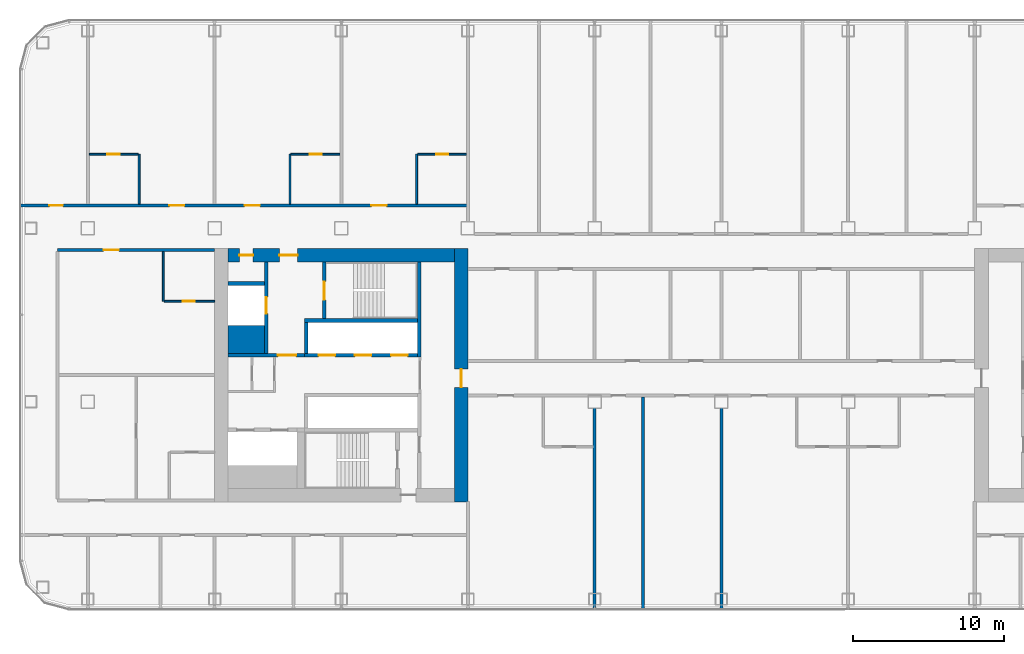
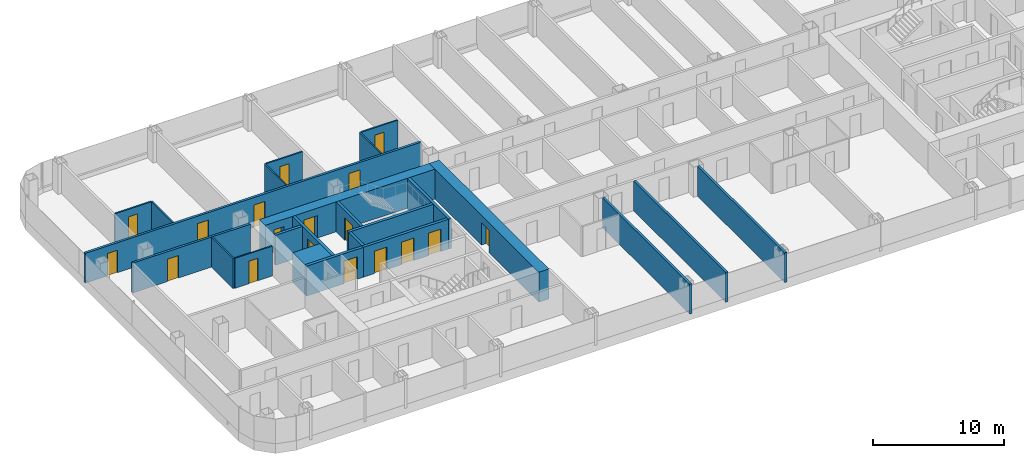
# One storey, part 16 of 29: 24 walls, 18 doors, 18 openings.
"""IFC4 building model written with IfcOpenShell, lengths in metres."""

from ifc_helpers import new_model, si_unit, direction, frame, frame_2d, origin, place, context, subcontext, project, spatial, rectangle, extrude, material, layer, layer_set, type_object, element, fill, save


model = new_model("IFC4")

# Units and contexts
model_context = context("Model", 3, precision=1e-05, world=origin(), true_north=direction((0.0, 1.0)))
body_context = subcontext(model_context, "Body", "Model", "MODEL_VIEW")
ifc_project = project(units=[si_unit("LENGTHUNIT", "METRE"), si_unit("AREAUNIT", "SQUARE_METRE"), si_unit("VOLUMEUNIT", "CUBIC_METRE"), si_unit("PLANEANGLEUNIT", "RADIAN"), si_unit("MASSUNIT", "GRAM", prefix="KILO")], contexts=[model_context])

# Site, building, storey
site_placement = place(None, origin())
site = spatial("IfcSite", under=ifc_project, at=site_placement, CompositionType="ELEMENT")
building_placement = place(site_placement, origin())
building = spatial("IfcBuilding", under=site, at=building_placement, Name="Hakoniwa Tower and Hamabe Station Hall", CompositionType="ELEMENT")
storey_placement = place(building_placement, frame((0.0, 0.0, 91.39990234375)))
storey = spatial("IfcBuildingStorey", under=building, at=storey_placement, Name="L25", CompositionType="ELEMENT", Elevation=91.39990234375)

# Wall, opening, door
ifc_material_1 = material(Name="Gypsum board partition", Category="gypsum")
ifc_layer_1 = layer(ifc_material_1, 0.125)
ifc_layer_set_1 = layer_set([ifc_layer_1], Name="Bathroom Partition 125")
wall_type_1 = type_object("IfcWallType", Name="Bathroom Partition 125", PredefinedType="PARTITIONING", material=ifc_layer_set_1)
wall_1_placement = place(storey_placement, frame((-36.9375, 4.89990234375, 0.0), z_axis=(0.0, 0.0, 1.0), x_axis=(1.0, 0.0, 0.0)))
wall_1 = element("IfcWall", 1, at=wall_1_placement, inside=storey, type_object=wall_type_1, Name="GW-L25-012", PredefinedType="PARTITIONING", context=body_context, shape_type="SweptSolid", body=[
    extrude(rectangle(XDim=3.33740234375, YDim=0.125, at=frame_2d((1.668701171875, 0.0))), origin(), (0.0, 0.0, 1.0), 2.800048828125),
])
opening_1_placement = place(wall_1_placement, frame((1.237548828125, 0.0, 0.0)))
opening_1 = element("IfcOpeningElement", 2, at=opening_1_placement, cuts=wall_1, Name="Opening GD-G2A1-29", PredefinedType="OPENING", context=body_context, shape_type="SweptSolid", body=[
    extrude(rectangle(XDim=0.800048828125, YDim=2.10009765625, at=frame_2d((0.39990234375, 1.050048828125))), frame((0.0, 0.072509765625, 0.0), z_axis=(0.0, -1.0, 0.0), x_axis=(1.0, 0.0, 0.0)), (0.0, 0.0, 1.0), 0.14501953125),
])
ifc_material_2 = material(Name="Timber door leaf", Category="wood")
door_type_1 = type_object("IfcDoorType", Name="Bathroom Door 800", OperationType="SINGLE_SWING_LEFT", PredefinedType="DOOR", material=ifc_material_2)
door_1_placement = place(opening_1_placement, origin())
door_1 = element("IfcDoor", 3, at=door_1_placement, inside=storey, type_object=door_type_1, Name="Door GD-G2A1-29", OperationType="SINGLE_SWING_RIGHT", OverallHeight=2.10009765625, OverallWidth=0.800048828125, PredefinedType="DOOR", context=body_context, shape_type="SweptSolid", body=[
    extrude(rectangle(XDim=0.800048828125, YDim=2.10009765625, at=frame_2d((0.39990234375, 1.050048828125))), frame((0.0, 0.02490234375, 0.0), z_axis=(0.0, -1.0, 0.0), x_axis=(1.0, 0.0, 0.0)), (0.0, 0.0, 1.0), 0.050048828125),
])
fill(opening_1, door_1)

wall_2_placement = place(storey_placement, frame((-41.89990234375, 14.64990234375, 0.0), z_axis=(0.0, 0.0, 1.0), x_axis=(1.0, 0.0, 0.0)))
wall_2 = element("IfcWall", 4, at=wall_2_placement, inside=storey, type_object=wall_type_1, Name="GW-L25-020", PredefinedType="PARTITIONING", context=body_context, shape_type="SweptSolid", body=[
    extrude(rectangle(XDim=3.2373046875, YDim=0.125, at=frame_2d((1.61865234375, 0.0))), origin(), (0.0, 0.0, 1.0), 2.800048828125),
])
opening_2_placement = place(wall_2_placement, frame((1.199951171875, 0.0, 0.0)))
opening_2 = element("IfcOpeningElement", 5, at=opening_2_placement, cuts=wall_2, Name="Opening GD-G2A1-53", PredefinedType="OPENING", context=body_context, shape_type="SweptSolid", body=[
    extrude(rectangle(XDim=0.800048828125, YDim=2.10009765625, at=frame_2d((0.39990234375, 1.050048828125))), frame((0.0, 0.072509765625, 0.0), z_axis=(0.0, -1.0, 0.0), x_axis=(1.0, 0.0, 0.0)), (0.0, 0.0, 1.0), 0.14501953125),
])
door_2_placement = place(opening_2_placement, origin())
door_2 = element("IfcDoor", 6, at=door_2_placement, inside=storey, type_object=door_type_1, Name="Door GD-G2A1-53", OperationType="SINGLE_SWING_LEFT", OverallHeight=2.10009765625, OverallWidth=0.800048828125, PredefinedType="DOOR", context=body_context, shape_type="SweptSolid", body=[
    extrude(rectangle(XDim=0.800048828125, YDim=2.10009765625, at=frame_2d((0.39990234375, 1.050048828125))), frame((0.0, 0.02490234375, 0.0), z_axis=(0.0, -1.0, 0.0), x_axis=(1.0, 0.0, 0.0)), (0.0, 0.0, 1.0), 0.050048828125),
])
fill(opening_2, door_2)

wall_3_placement = place(storey_placement, frame((-28.53759765625, 14.64990234375, 0.0), z_axis=(0.0, 0.0, 1.0), x_axis=(1.0, 0.0, 0.0)))
wall_3 = element("IfcWall", 7, at=wall_3_placement, inside=storey, type_object=wall_type_1, Name="GW-L25-021", PredefinedType="PARTITIONING", context=body_context, shape_type="SweptSolid", body=[
    extrude(rectangle(XDim=3.237548828125, YDim=0.125, at=frame_2d((1.61865234375, 0.0))), origin(), (0.0, 0.0, 1.0), 2.800048828125),
])
opening_3_placement = place(wall_3_placement, frame((1.237548828125, 0.0, 0.0)))
opening_3 = element("IfcOpeningElement", 8, at=opening_3_placement, cuts=wall_3, Name="Opening GD-G2A1-54", PredefinedType="OPENING", context=body_context, shape_type="SweptSolid", body=[
    extrude(rectangle(XDim=0.800048828125, YDim=2.10009765625, at=frame_2d((0.39990234375, 1.050048828125))), frame((0.0, 0.072509765625, 0.0), z_axis=(0.0, -1.0, 0.0), x_axis=(1.0, 0.0, 0.0)), (0.0, 0.0, 1.0), 0.14501953125),
])
door_3_placement = place(opening_3_placement, origin())
door_3 = element("IfcDoor", 9, at=door_3_placement, inside=storey, type_object=door_type_1, Name="Door GD-G2A1-54", OperationType="SINGLE_SWING_RIGHT", OverallHeight=2.10009765625, OverallWidth=0.800048828125, PredefinedType="DOOR", context=body_context, shape_type="SweptSolid", body=[
    extrude(rectangle(XDim=0.800048828125, YDim=2.10009765625, at=frame_2d((0.39990234375, 1.050048828125))), frame((0.0, 0.02490234375, 0.0), z_axis=(0.0, -1.0, 0.0), x_axis=(1.0, 0.0, 0.0)), (0.0, 0.0, 1.0), 0.050048828125),
])
fill(opening_3, door_3)

wall_4_placement = place(storey_placement, frame((-20.137451171875, 14.64990234375, 0.0), z_axis=(0.0, 0.0, 1.0), x_axis=(1.0, 0.0, 0.0)))
wall_4 = element("IfcWall", 10, at=wall_4_placement, inside=storey, type_object=wall_type_1, Name="GW-L25-022", PredefinedType="PARTITIONING", context=body_context, shape_type="SweptSolid", body=[
    extrude(rectangle(XDim=3.237548828125, YDim=0.125, at=frame_2d((1.61865234375, 0.0))), origin(), (0.0, 0.0, 1.0), 2.800048828125),
])
opening_4_placement = place(wall_4_placement, frame((1.237548828125, 0.0, 0.0)))
opening_4 = element("IfcOpeningElement", 11, at=opening_4_placement, cuts=wall_4, Name="Opening GD-G2A1-55", PredefinedType="OPENING", context=body_context, shape_type="SweptSolid", body=[
    extrude(rectangle(XDim=0.800048828125, YDim=2.10009765625, at=frame_2d((0.39990234375, 1.050048828125))), frame((0.0, 0.072509765625, 0.0), z_axis=(0.0, -1.0, 0.0), x_axis=(1.0, 0.0, 0.0)), (0.0, 0.0, 1.0), 0.14501953125),
])
door_4_placement = place(opening_4_placement, origin())
door_4 = element("IfcDoor", 12, at=door_4_placement, inside=storey, type_object=door_type_1, Name="Door GD-G2A1-55", OperationType="SINGLE_SWING_LEFT", OverallHeight=2.10009765625, OverallWidth=0.800048828125, PredefinedType="DOOR", context=body_context, shape_type="SweptSolid", body=[
    extrude(rectangle(XDim=0.800048828125, YDim=2.10009765625, at=frame_2d((0.39990234375, 1.050048828125))), frame((0.0, 0.02490234375, 0.0), z_axis=(0.0, -1.0, 0.0), x_axis=(1.0, 0.0, 0.0)), (0.0, 0.0, 1.0), 0.050048828125),
])
fill(opening_4, door_4)

# Walls
wall_5_placement = place(storey_placement, frame((-38.60009765625, 11.35009765625, 0.0), z_axis=(0.0, 0.0, 1.0), x_axis=(0.0, 1.0, 0.0)))
element("IfcWall", 13, at=wall_5_placement, inside=storey, type_object=wall_type_1, Name="GW-L25-030", PredefinedType="PARTITIONING", context=body_context, shape_type="SweptSolid", body=[
    extrude(rectangle(XDim=3.2998046875, YDim=0.125, at=frame_2d((1.64990234375, 0.0))), origin(), (0.0, 0.0, 1.0), 2.800048828125),
])
wall_6_placement = place(storey_placement, frame((-37.0, 4.89990234375, 0.0), z_axis=(0.0, 0.0, 1.0), x_axis=(0.0, 1.0, 0.0)))
element("IfcWall", 14, at=wall_6_placement, inside=storey, type_object=wall_type_1, Name="GW-L25-032", PredefinedType="PARTITIONING", context=body_context, shape_type="SweptSolid", body=[
    extrude(rectangle(XDim=3.300048828125, YDim=0.125, at=frame_2d((1.64990234375, 0.0))), origin(), (0.0, 0.0, 1.0), 2.800048828125),
])
for number, where, z_axis, x_axis, name in (
    (15, (-28.60009765625, 11.35009765625, 0.0), (0.0, 0.0, 1.0), (0.0, 1.0, 0.0), "GW-L25-036"),
    (16, (-20.199951171875, 11.35009765625, 0.0), (0.0, 0.0, 1.0), (0.0, 1.0, 0.0), "GW-L25-040"),
):
    element("IfcWall", number, at=place(storey_placement, frame(where, z_axis=z_axis, x_axis=x_axis)), inside=storey, type_object=wall_type_1, Name=name, PredefinedType="PARTITIONING", context=body_context, shape_type="SweptSolid", body=[
        extrude(rectangle(XDim=3.2998046875, YDim=0.125, at=frame_2d((1.64990234375, 0.0))), origin(), (0.0, 0.0, 1.0), 2.800048828125),
    ])

# Wall, opening, door
ifc_material_3 = material(Name="Concrete C72", Category="concrete")
ifc_layer_2 = layer(ifc_material_3, 0.89990234375)
ifc_layer_set_2 = layer_set([ifc_layer_2], Name="CORE WALL 900 C72")
wall_type_2 = type_object("IfcWallType", Name="CORE WALL 900 C72", PredefinedType="SHEAR", material=ifc_layer_set_2)
wall_7_placement = place(storey_placement, frame((-17.25, -8.39990234375, 0.0), z_axis=(0.0, 0.0, 1.0), x_axis=(0.0, 1.0, 0.0)))
wall_7 = element("IfcWall", 17, at=wall_7_placement, inside=storey, type_object=wall_type_2, Name="Core wall INNER west", PredefinedType="SHEAR", context=body_context, shape_type="SweptSolid", body=[
    extrude(rectangle(XDim=16.7998046875, YDim=0.89990234375, at=frame_2d((8.39990234375, 0.0))), origin(), (0.0, 0.0, 1.0), 2.800048828125),
])
opening_5_placement = place(wall_7_placement, frame((7.60009765625, 0.0, 0.0)))
opening_5 = element("IfcOpeningElement", 18, at=opening_5_placement, cuts=wall_7, Name="Opening CD-W-IN1-12", PredefinedType="OPENING", context=body_context, shape_type="SweptSolid", body=[
    extrude(rectangle(XDim=1.199951171875, YDim=2.10009765625, at=frame_2d((0.60009765625, 1.050048828125))), frame((0.0, 0.4599609375, 0.0), z_axis=(0.0, -1.0, 0.0), x_axis=(1.0, 0.0, 0.0)), (0.0, 0.0, 1.0), 0.919921875),
])
ifc_material_4 = material(Name="Steel fire door", Category="steel")
door_type_2 = type_object("IfcDoorType", Name="CORE DOOR 1200 FD60", OperationType="DOUBLE_DOOR_SINGLE_SWING", PredefinedType="DOOR", material=ifc_material_4)
door_5_placement = place(opening_5_placement, origin())
door_5 = element("IfcDoor", 19, at=door_5_placement, inside=storey, type_object=door_type_2, Name="Lift lobby door", OperationType="DOUBLE_DOOR_SINGLE_SWING", OverallHeight=2.10009765625, OverallWidth=1.199951171875, PredefinedType="DOOR", context=body_context, shape_type="SweptSolid", body=[
    extrude(rectangle(XDim=1.199951171875, YDim=2.10009765625, at=frame_2d((0.60009765625, 1.050048828125))), frame((0.0, 0.02490234375, 0.0), z_axis=(0.0, -1.0, 0.0), x_axis=(1.0, 0.0, 0.0)), (0.0, 0.0, 1.0), 0.050048828125),
])
fill(opening_5, door_5)

# Wall, openings, doors
wall_8_placement = place(storey_placement, frame((-32.699951171875, 7.949951171875, 0.0), z_axis=(0.0, 0.0, 1.0), x_axis=(1.0, 0.0, 0.0)))
wall_8 = element("IfcWall", 20, at=wall_8_placement, inside=storey, type_object=wall_type_2, Name="Core wall NORTH west", PredefinedType="SHEAR", context=body_context, shape_type="SweptSolid", body=[
    extrude(rectangle(XDim=15.0, YDim=0.89990234375, at=frame_2d((7.5, 0.0))), origin(), (0.0, 0.0, 1.0), 2.800048828125),
])
opening_6_placement = place(wall_8_placement, frame((3.39990234375, 0.0, 0.0)))
opening_6 = element("IfcOpeningElement", 21, at=opening_6_placement, cuts=wall_8, Name="Opening CD-W-FN1-12", PredefinedType="OPENING", context=body_context, shape_type="SweptSolid", body=[
    extrude(rectangle(XDim=1.199951171875, YDim=2.10009765625, at=frame_2d((0.60009765625, 1.050048828125))), frame((0.0, 0.4599609375, 0.0), z_axis=(0.0, -1.0, 0.0), x_axis=(1.0, 0.0, 0.0)), (0.0, 0.0, 1.0), 0.919921875),
])
opening_7_placement = place(wall_8_placement, frame((0.75, 0.0, 0.0)))
opening_7 = element("IfcOpeningElement", 22, at=opening_7_placement, cuts=wall_8, Name="Opening CD-W-FN2-9", PredefinedType="OPENING", context=body_context, shape_type="SweptSolid", body=[
    extrude(rectangle(XDim=0.89990234375, YDim=2.10009765625, at=frame_2d((0.449951171875, 1.050048828125))), frame((0.0, 0.4599609375, 0.0), z_axis=(0.0, -1.0, 0.0), x_axis=(1.0, 0.0, 0.0)), (0.0, 0.0, 1.0), 0.919921875),
])
door_6_placement = place(opening_6_placement, origin())
door_6 = element("IfcDoor", 23, at=door_6_placement, inside=storey, type_object=door_type_2, Name="Stair vestibule door to the fire-fighting lobby", OperationType="DOUBLE_DOOR_SINGLE_SWING", OverallHeight=2.10009765625, OverallWidth=1.199951171875, PredefinedType="DOOR", context=body_context, shape_type="SweptSolid", body=[
    extrude(rectangle(XDim=1.199951171875, YDim=2.10009765625, at=frame_2d((0.60009765625, 1.050048828125))), frame((0.0, 0.02490234375, 0.0), z_axis=(0.0, -1.0, 0.0), x_axis=(1.0, 0.0, 0.0)), (0.0, 0.0, 1.0), 0.050048828125),
])
fill(opening_6, door_6)
ifc_material_5 = material(Name="Steel fire door", Category="steel")
door_type_3 = type_object("IfcDoorType", Name="CORE DOOR 900 FD30", OperationType="NOTDEFINED", PredefinedType="DOOR", material=ifc_material_5)
door_7_placement = place(opening_7_placement, origin())
door_7 = element("IfcDoor", 24, at=door_7_placement, inside=storey, type_object=door_type_3, Name="Riser access door", OperationType="SINGLE_SWING_RIGHT", OverallHeight=2.10009765625, OverallWidth=0.89990234375, PredefinedType="DOOR", context=body_context, shape_type="SweptSolid", body=[
    extrude(rectangle(XDim=0.89990234375, YDim=2.10009765625, at=frame_2d((0.449951171875, 1.050048828125))), frame((0.0, 0.02490234375, 0.0), z_axis=(0.0, -1.0, 0.0), x_axis=(1.0, 0.0, 0.0)), (0.0, 0.0, 1.0), 0.050048828125),
])
fill(opening_7, door_7)

# Walls
ifc_material_6 = material(Name="Concrete C72", Category="concrete")
ifc_layer_3 = layer(ifc_material_6, 1.85009765625)
ifc_layer_set_3 = layer_set([ifc_layer_3], Name="CORE WEB WALL 1850 C72")
wall_type_3 = type_object("IfcWallType", Name="CORE WEB WALL 1850 C72", PredefinedType="SHEAR", material=ifc_layer_set_3)
wall_9_placement = place(storey_placement, frame((-32.699951171875, 2.375, 0.0), z_axis=(0.0, 0.0, 1.0), x_axis=(1.0, 0.0, 0.0)))
element("IfcWall", 25, at=wall_9_placement, inside=storey, type_object=wall_type_3, Name="Core wall CA west", PredefinedType="SHEAR", context=body_context, shape_type="SweptSolid", body=[
    extrude(rectangle(XDim=2.39990234375, YDim=1.85009765625, at=frame_2d((1.199951171875, 0.0))), origin(), (0.0, 0.0, 1.0), 2.800048828125),
])
ifc_material_7 = material(Name="Concrete C72", Category="concrete")
ifc_layer_4 = layer(ifc_material_7, 0.25)
ifc_layer_set_4 = layer_set([ifc_layer_4], Name="CORE WEB WALL 250 C72")
wall_type_4 = type_object("IfcWallType", Name="CORE WEB WALL 250 C72", PredefinedType="SHEAR", material=ifc_layer_set_4)
wall_10_placement = place(storey_placement, frame((-20.02490234375, 1.199951171875, 0.0), z_axis=(0.0, 0.0, 1.0), x_axis=(0.0, 1.0, 0.0)))
element("IfcWall", 26, at=wall_10_placement, inside=storey, type_object=wall_type_4, Name="Core wall W1N west", PredefinedType="SHEAR", context=body_context, shape_type="SweptSolid", body=[
    extrude(rectangle(XDim=6.300048828125, YDim=0.25, at=frame_2d((3.14990234375, 0.0))), origin(), (0.0, 0.0, 1.0), 2.800048828125),
])

# Wall, openings, doors
wall_11_placement = place(storey_placement, frame((-27.64990234375, 1.324951171875, 0.0), z_axis=(0.0, 0.0, 1.0), x_axis=(1.0, 0.0, 0.0)))
wall_11 = element("IfcWall", 27, at=wall_11_placement, inside=storey, type_object=wall_type_4, Name="Core wall NF west", PredefinedType="SHEAR", context=body_context, shape_type="SweptSolid", body=[
    extrude(rectangle(XDim=7.5, YDim=0.25, at=frame_2d((3.75, 0.0))), origin(), (0.0, 0.0, 1.0), 2.800048828125),
])
opening_8_placement = place(wall_11_placement, frame((5.75, 0.0, 0.0)))
opening_8 = element("IfcOpeningElement", 28, at=opening_8_placement, cuts=wall_11, Name="Opening LD-LR1", PredefinedType="OPENING", context=body_context, shape_type="SweptSolid", body=[
    extrude(rectangle(XDim=1.10009765625, YDim=2.10009765625, at=frame_2d((0.550048828125, 1.050048828125))), frame((0.0, 0.135009765625, 0.0), z_axis=(0.0, -1.0, 0.0), x_axis=(1.0, 0.0, 0.0)), (0.0, 0.0, 1.0), 0.27001953125),
])
opening_9_placement = place(wall_11_placement, frame((3.35009765625, 0.0, 0.0)))
opening_9 = element("IfcOpeningElement", 29, at=opening_9_placement, cuts=wall_11, Name="Opening LD-LR2", PredefinedType="OPENING", context=body_context, shape_type="SweptSolid", body=[
    extrude(rectangle(XDim=1.10009765625, YDim=2.10009765625, at=frame_2d((0.550048828125, 1.050048828125))), frame((0.0, 0.135009765625, 0.0), z_axis=(0.0, -1.0, 0.0), x_axis=(1.0, 0.0, 0.0)), (0.0, 0.0, 1.0), 0.27001953125),
])
opening_10_placement = place(wall_11_placement, frame((0.949951171875, 0.0, 0.0)))
opening_10 = element("IfcOpeningElement", 30, at=opening_10_placement, cuts=wall_11, Name="Opening LD-LR3", PredefinedType="OPENING", context=body_context, shape_type="SweptSolid", body=[
    extrude(rectangle(XDim=1.10009765625, YDim=2.10009765625, at=frame_2d((0.550048828125, 1.050048828125))), frame((0.0, 0.135009765625, 0.0), z_axis=(0.0, -1.0, 0.0), x_axis=(1.0, 0.0, 0.0)), (0.0, 0.0, 1.0), 0.27001953125),
])
ifc_material_8 = material(Name="Stainless steel SUS304", Category="steel")
door_type_4 = type_object("IfcDoorType", Name="LIFT LANDING DOOR 1100 FD60", OperationType="DOUBLE_DOOR_SLIDING", PredefinedType="DOOR", material=ifc_material_8)
door_8_placement = place(opening_8_placement, origin())
door_8 = element("IfcDoor", 31, at=door_8_placement, inside=storey, type_object=door_type_4, Name="Lift landing door LR1 L25", OperationType="DOUBLE_DOOR_SLIDING", OverallHeight=2.10009765625, OverallWidth=1.10009765625, PredefinedType="DOOR", context=body_context, shape_type="SweptSolid", body=[
    extrude(rectangle(XDim=1.10009765625, YDim=2.10009765625, at=frame_2d((0.550048828125, 1.050048828125))), frame((0.0, 0.02490234375, 0.0), z_axis=(0.0, -1.0, 0.0), x_axis=(1.0, 0.0, 0.0)), (0.0, 0.0, 1.0), 0.050048828125),
])
fill(opening_8, door_8)
door_9_placement = place(opening_9_placement, origin())
door_9 = element("IfcDoor", 32, at=door_9_placement, inside=storey, type_object=door_type_4, Name="Lift landing door LR2 L25", OperationType="DOUBLE_DOOR_SLIDING", OverallHeight=2.10009765625, OverallWidth=1.10009765625, PredefinedType="DOOR", context=body_context, shape_type="SweptSolid", body=[
    extrude(rectangle(XDim=1.10009765625, YDim=2.10009765625, at=frame_2d((0.550048828125, 1.050048828125))), frame((0.0, 0.02490234375, 0.0), z_axis=(0.0, -1.0, 0.0), x_axis=(1.0, 0.0, 0.0)), (0.0, 0.0, 1.0), 0.050048828125),
])
fill(opening_9, door_9)
door_10_placement = place(opening_10_placement, origin())
door_10 = element("IfcDoor", 33, at=door_10_placement, inside=storey, type_object=door_type_4, Name="Lift landing door LR3 L25", OperationType="DOUBLE_DOOR_SLIDING", OverallHeight=2.10009765625, OverallWidth=1.10009765625, PredefinedType="DOOR", context=body_context, shape_type="SweptSolid", body=[
    extrude(rectangle(XDim=1.10009765625, YDim=2.10009765625, at=frame_2d((0.550048828125, 1.050048828125))), frame((0.0, 0.02490234375, 0.0), z_axis=(0.0, -1.0, 0.0), x_axis=(1.0, 0.0, 0.0)), (0.0, 0.0, 1.0), 0.050048828125),
])
fill(opening_10, door_10)

# Walls
wall_12_placement = place(storey_placement, frame((-27.52490234375, 1.449951171875, 0.0), z_axis=(0.0, 0.0, 1.0), x_axis=(0.0, 1.0, 0.0)))
element("IfcWall", 34, at=wall_12_placement, inside=storey, type_object=wall_type_4, Name="Core wall NE west", PredefinedType="SHEAR", context=body_context, shape_type="SweptSolid", body=[
    extrude(rectangle(XDim=2.050048828125, YDim=0.25, at=frame_2d((1.02490234375, 0.0))), origin(), (0.0, 0.0, 1.0), 2.800048828125),
])
wall_13_placement = place(storey_placement, frame((-27.64990234375, 3.625, 0.0), z_axis=(0.0, 0.0, 1.0), x_axis=(1.0, 0.0, 0.0)))
element("IfcWall", 35, at=wall_13_placement, inside=storey, type_object=wall_type_4, Name="Core wall NR west", PredefinedType="SHEAR", context=body_context, shape_type="SweptSolid", body=[
    extrude(rectangle(XDim=7.5, YDim=0.25, at=frame_2d((3.75, 0.0))), origin(), (0.0, 0.0, 1.0), 2.800048828125),
])

# Wall, opening, door
wall_14_placement = place(storey_placement, frame((-26.324951171875, 3.75, 0.0), z_axis=(0.0, 0.0, 1.0), x_axis=(0.0, 1.0, 0.0)))
wall_14 = element("IfcWall", 36, at=wall_14_placement, inside=storey, type_object=wall_type_4, Name="Core wall NSE west", PredefinedType="SHEAR", context=body_context, shape_type="SweptSolid", body=[
    extrude(rectangle(XDim=3.75, YDim=0.25, at=frame_2d((1.875, 0.0))), origin(), (0.0, 0.0, 1.0), 2.800048828125),
])
opening_11_placement = place(wall_14_placement, frame((1.25, 0.0, 0.0)))
opening_11 = element("IfcOpeningElement", 37, at=opening_11_placement, cuts=wall_14, Name="Opening CD-W-SN-12", PredefinedType="OPENING", context=body_context, shape_type="SweptSolid", body=[
    extrude(rectangle(XDim=1.199951171875, YDim=2.10009765625, at=frame_2d((0.60009765625, 1.050048828125))), frame((0.0, 0.135009765625, 0.0), z_axis=(0.0, -1.0, 0.0), x_axis=(1.0, 0.0, 0.0)), (0.0, 0.0, 1.0), 0.27001953125),
])
door_11_placement = place(opening_11_placement, origin())
door_11 = element("IfcDoor", 38, at=door_11_placement, inside=storey, type_object=door_type_2, Name="Escape stair door", OperationType="DOUBLE_DOOR_SINGLE_SWING", OverallHeight=2.10009765625, OverallWidth=1.199951171875, PredefinedType="DOOR", context=body_context, shape_type="SweptSolid", body=[
    extrude(rectangle(XDim=1.199951171875, YDim=2.10009765625, at=frame_2d((0.60009765625, 1.050048828125))), frame((0.0, 0.02490234375, 0.0), z_axis=(0.0, -1.0, 0.0), x_axis=(1.0, 0.0, 0.0)), (0.0, 0.0, 1.0), 0.050048828125),
])
fill(opening_11, door_11)

wall_15_placement = place(storey_placement, frame((-32.699951171875, 1.324951171875, 0.0), z_axis=(0.0, 0.0, 1.0), x_axis=(1.0, 0.0, 0.0)))
wall_15 = element("IfcWall", 39, at=wall_15_placement, inside=storey, type_object=wall_type_4, Name="Core wall ELN west", PredefinedType="SHEAR", context=body_context, shape_type="SweptSolid", body=[
    extrude(rectangle(XDim=5.050048828125, YDim=0.25, at=frame_2d((2.52490234375, 0.0))), origin(), (0.0, 0.0, 1.0), 2.800048828125),
])
opening_12_placement = place(wall_15_placement, frame((3.300048828125, 0.0, 0.0)))
opening_12 = element("IfcOpeningElement", 40, at=opening_12_placement, cuts=wall_15, Name="Opening CD-W-FL-12", PredefinedType="OPENING", context=body_context, shape_type="SweptSolid", body=[
    extrude(rectangle(XDim=1.199951171875, YDim=2.10009765625, at=frame_2d((0.60009765625, 1.050048828125))), frame((0.0, 0.135009765625, 0.0), z_axis=(0.0, -1.0, 0.0), x_axis=(1.0, 0.0, 0.0)), (0.0, 0.0, 1.0), 0.27001953125),
])
door_12_placement = place(opening_12_placement, origin())
door_12 = element("IfcDoor", 41, at=door_12_placement, inside=storey, type_object=door_type_2, Name="Stair vestibule door to the fire-fighting lobby", OperationType="DOUBLE_DOOR_SINGLE_SWING", OverallHeight=2.10009765625, OverallWidth=1.199951171875, PredefinedType="DOOR", context=body_context, shape_type="SweptSolid", body=[
    extrude(rectangle(XDim=1.199951171875, YDim=2.10009765625, at=frame_2d((0.60009765625, 1.050048828125))), frame((0.0, 0.02490234375, 0.0), z_axis=(0.0, -1.0, 0.0), x_axis=(1.0, 0.0, 0.0)), (0.0, 0.0, 1.0), 0.050048828125),
])
fill(opening_12, door_12)

wall_16_placement = place(storey_placement, frame((-30.175048828125, 1.449951171875, 0.0), z_axis=(0.0, 0.0, 1.0), x_axis=(0.0, 1.0, 0.0)))
wall_16 = element("IfcWall", 42, at=wall_16_placement, inside=storey, type_object=wall_type_4, Name="Core wall FFF west", PredefinedType="SHEAR", context=body_context, shape_type="SweptSolid", body=[
    extrude(rectangle(XDim=6.050048828125, YDim=0.25, at=frame_2d((3.02490234375, 0.0))), origin(), (0.0, 0.0, 1.0), 2.800048828125),
])
opening_13_placement = place(wall_16_placement, frame((2.625, 0.0, 0.0)))
opening_13 = element("IfcOpeningElement", 43, at=opening_13_placement, cuts=wall_16, Name="Opening LD-FF1", PredefinedType="OPENING", context=body_context, shape_type="SweptSolid", body=[
    extrude(rectangle(XDim=1.10009765625, YDim=2.10009765625, at=frame_2d((0.550048828125, 1.050048828125))), frame((0.0, 0.135009765625, 0.0), z_axis=(0.0, -1.0, 0.0), x_axis=(1.0, 0.0, 0.0)), (0.0, 0.0, 1.0), 0.27001953125),
])
door_13_placement = place(opening_13_placement, origin())
door_13 = element("IfcDoor", 44, at=door_13_placement, inside=storey, type_object=door_type_4, Name="Lift landing door FF1 L25", OperationType="DOUBLE_DOOR_SLIDING", OverallHeight=2.10009765625, OverallWidth=1.10009765625, PredefinedType="DOOR", context=body_context, shape_type="SweptSolid", body=[
    extrude(rectangle(XDim=1.10009765625, YDim=2.10009765625, at=frame_2d((0.550048828125, 1.050048828125))), frame((0.0, 0.02490234375, 0.0), z_axis=(0.0, -1.0, 0.0), x_axis=(1.0, 0.0, 0.0)), (0.0, 0.0, 1.0), 0.050048828125),
])
fill(opening_13, door_13)

# Wall
wall_17_placement = place(storey_placement, frame((-32.699951171875, 6.074951171875, 0.0), z_axis=(0.0, 0.0, 1.0), x_axis=(1.0, 0.0, 0.0)))
element("IfcWall", 45, at=wall_17_placement, inside=storey, type_object=wall_type_4, Name="Core wall C2 west", PredefinedType="SHEAR", context=body_context, shape_type="SweptSolid", body=[
    extrude(rectangle(XDim=2.39990234375, YDim=0.25, at=frame_2d((1.199951171875, 0.0))), origin(), (0.0, 0.0, 1.0), 2.800048828125),
])

# Wall, opening, door
ifc_material_9 = material(Name="Fire-rated gypsum board partition", Category="gypsum")
ifc_layer_5 = layer(ifc_material_9, 0.199951171875)
ifc_layer_set_5 = layer_set([ifc_layer_5], Name="Corridor Wall 200")
wall_type_5 = type_object("IfcWallType", Name="Corridor Wall 200", PredefinedType="PARTITIONING", material=ifc_layer_set_5)
wall_18_placement = place(storey_placement, frame((-44.0, 8.300048828125, 0.0), z_axis=(0.0, 0.0, 1.0), x_axis=(1.0, 0.0, 0.0)))
wall_18 = element("IfcWall", 46, at=wall_18_placement, inside=storey, type_object=wall_type_5, Name="GW-L25-015", PredefinedType="PARTITIONING", context=body_context, shape_type="SweptSolid", body=[
    extrude(rectangle(XDim=10.39990234375, YDim=0.199951171875, at=frame_2d((5.199951171875, 0.0))), origin(), (0.0, 0.0, 1.0), 2.800048828125),
])
opening_14_placement = place(wall_18_placement, frame((3.050048828125, 0.0, 0.0)))
opening_14 = element("IfcOpeningElement", 47, at=opening_14_placement, cuts=wall_18, Name="Opening GD-G2A1-35", PredefinedType="OPENING", context=body_context, shape_type="SweptSolid", body=[
    extrude(rectangle(XDim=1.0, YDim=2.10009765625, at=frame_2d((0.5, 1.050048828125))), frame((0.0, 0.10986328125, 0.0), z_axis=(0.0, -1.0, 0.0), x_axis=(1.0, 0.0, 0.0)), (0.0, 0.0, 1.0), 0.219970703125),
])
ifc_material_10 = material(Name="Timber door leaf", Category="wood")
door_type_5 = type_object("IfcDoorType", Name="Guest Entrance Door 1000", OperationType="SINGLE_SWING_LEFT", PredefinedType="DOOR", material=ifc_material_10)
door_14_placement = place(opening_14_placement, origin())
door_14 = element("IfcDoor", 48, at=door_14_placement, inside=storey, type_object=door_type_5, Name="Door GD-G2A1-35", OperationType="SINGLE_SWING_LEFT", OverallHeight=2.10009765625, OverallWidth=1.0, PredefinedType="DOOR", context=body_context, shape_type="SweptSolid", body=[
    extrude(rectangle(XDim=1.0, YDim=2.10009765625, at=frame_2d((0.5, 1.050048828125))), frame((0.0, 0.02490234375, 0.0), z_axis=(0.0, -1.0, 0.0), x_axis=(1.0, 0.0, 0.0)), (0.0, 0.0, 1.0), 0.050048828125),
])
fill(opening_14, door_14)

# Wall, openings, doors
wall_19_placement = place(storey_placement, frame((-46.5, 11.25, 0.0), z_axis=(0.0, 0.0, 1.0), x_axis=(1.0, 0.0, 0.0)))
wall_19 = element("IfcWall", 49, at=wall_19_placement, inside=storey, type_object=wall_type_5, Name="GW-L25-018", PredefinedType="PARTITIONING", context=body_context, shape_type="SweptSolid", body=[
    extrude(rectangle(XDim=29.699951171875, YDim=0.199951171875, at=frame_2d((14.85009765625, 0.0))), origin(), (0.0, 0.0, 1.0), 2.800048828125),
])
opening_15_placement = place(wall_19_placement, frame((1.949951171875, 0.0, 0.0)))
opening_15 = element("IfcOpeningElement", 50, at=opening_15_placement, cuts=wall_19, Name="Opening GD-G2A1-45", PredefinedType="OPENING", context=body_context, shape_type="SweptSolid", body=[
    extrude(rectangle(XDim=0.89990234375, YDim=2.10009765625, at=frame_2d((0.449951171875, 1.050048828125))), frame((0.0, 0.10986328125, 0.0), z_axis=(0.0, -1.0, 0.0), x_axis=(1.0, 0.0, 0.0)), (0.0, 0.0, 1.0), 0.219970703125),
])
opening_16_placement = place(wall_19_placement, frame((9.89990234375, 0.0, 0.0)))
opening_16 = element("IfcOpeningElement", 51, at=opening_16_placement, cuts=wall_19, Name="Opening GD-G2A1-46", PredefinedType="OPENING", context=body_context, shape_type="SweptSolid", body=[
    extrude(rectangle(XDim=1.0, YDim=2.10009765625, at=frame_2d((0.5, 1.050048828125))), frame((0.0, 0.10986328125, 0.0), z_axis=(0.0, -1.0, 0.0), x_axis=(1.0, 0.0, 0.0)), (0.0, 0.0, 1.0), 0.219970703125),
])
opening_17_placement = place(wall_19_placement, frame((14.89990234375, 0.0, 0.0)))
opening_17 = element("IfcOpeningElement", 52, at=opening_17_placement, cuts=wall_19, Name="Opening GD-G2A1-47", PredefinedType="OPENING", context=body_context, shape_type="SweptSolid", body=[
    extrude(rectangle(XDim=1.0, YDim=2.10009765625, at=frame_2d((0.5, 1.050048828125))), frame((0.0, 0.10986328125, 0.0), z_axis=(0.0, -1.0, 0.0), x_axis=(1.0, 0.0, 0.0)), (0.0, 0.0, 1.0), 0.219970703125),
])
opening_18_placement = place(wall_19_placement, frame((23.300048828125, 0.0, 0.0)))
opening_18 = element("IfcOpeningElement", 53, at=opening_18_placement, cuts=wall_19, Name="Opening GD-G2A1-48", PredefinedType="OPENING", context=body_context, shape_type="SweptSolid", body=[
    extrude(rectangle(XDim=1.0, YDim=2.10009765625, at=frame_2d((0.5, 1.050048828125))), frame((0.0, 0.10986328125, 0.0), z_axis=(0.0, -1.0, 0.0), x_axis=(1.0, 0.0, 0.0)), (0.0, 0.0, 1.0), 0.219970703125),
])
door_15_placement = place(opening_16_placement, origin())
door_15 = element("IfcDoor", 54, at=door_15_placement, inside=storey, type_object=door_type_5, Name="Door GD-G2A1-46", OperationType="SINGLE_SWING_RIGHT", OverallHeight=2.10009765625, OverallWidth=1.0, PredefinedType="DOOR", context=body_context, shape_type="SweptSolid", body=[
    extrude(rectangle(XDim=1.0, YDim=2.10009765625, at=frame_2d((0.5, 1.050048828125))), frame((0.0, 0.02490234375, 0.0), z_axis=(0.0, -1.0, 0.0), x_axis=(1.0, 0.0, 0.0)), (0.0, 0.0, 1.0), 0.050048828125),
])
fill(opening_16, door_15)
door_16_placement = place(opening_17_placement, origin())
door_16 = element("IfcDoor", 55, at=door_16_placement, inside=storey, type_object=door_type_5, Name="Door GD-G2A1-47", OperationType="SINGLE_SWING_LEFT", OverallHeight=2.10009765625, OverallWidth=1.0, PredefinedType="DOOR", context=body_context, shape_type="SweptSolid", body=[
    extrude(rectangle(XDim=1.0, YDim=2.10009765625, at=frame_2d((0.5, 1.050048828125))), frame((0.0, 0.02490234375, 0.0), z_axis=(0.0, -1.0, 0.0), x_axis=(1.0, 0.0, 0.0)), (0.0, 0.0, 1.0), 0.050048828125),
])
fill(opening_17, door_16)
door_17_placement = place(opening_18_placement, origin())
door_17 = element("IfcDoor", 56, at=door_17_placement, inside=storey, type_object=door_type_5, Name="Door GD-G2A1-48", OperationType="SINGLE_SWING_RIGHT", OverallHeight=2.10009765625, OverallWidth=1.0, PredefinedType="DOOR", context=body_context, shape_type="SweptSolid", body=[
    extrude(rectangle(XDim=1.0, YDim=2.10009765625, at=frame_2d((0.5, 1.050048828125))), frame((0.0, 0.02490234375, 0.0), z_axis=(0.0, -1.0, 0.0), x_axis=(1.0, 0.0, 0.0)), (0.0, 0.0, 1.0), 0.050048828125),
])
fill(opening_18, door_17)
ifc_material_11 = material(Name="Timber door leaf", Category="wood")
door_type_6 = type_object("IfcDoorType", Name="Service Door 900", OperationType="SINGLE_SWING_LEFT", PredefinedType="DOOR", material=ifc_material_11)
door_18_placement = place(opening_15_placement, origin())
door_18 = element("IfcDoor", 57, at=door_18_placement, inside=storey, type_object=door_type_6, Name="Door GD-G2A1-45", OperationType="SINGLE_SWING_LEFT", OverallHeight=2.10009765625, OverallWidth=0.89990234375, PredefinedType="DOOR", context=body_context, shape_type="SweptSolid", body=[
    extrude(rectangle(XDim=0.89990234375, YDim=2.10009765625, at=frame_2d((0.449951171875, 1.050048828125))), frame((0.0, 0.02490234375, 0.0), z_axis=(0.0, -1.0, 0.0), x_axis=(1.0, 0.0, 0.0)), (0.0, 0.0, 1.0), 0.050048828125),
])
fill(opening_15, door_18)

# Walls
ifc_material_12 = material(Name="Fire-rated gypsum board partition", Category="gypsum")
ifc_layer_6 = layer(ifc_material_12, 0.199951171875)
ifc_layer_set_6 = layer_set([ifc_layer_6], Name="Party Wall 200")
wall_type_6 = type_object("IfcWallType", Name="Party Wall 200", PredefinedType="PARTITIONING", material=ifc_layer_set_6)
wall_20_placement = place(storey_placement, frame((-8.39990234375, -15.550048828125, 0.0), z_axis=(0.0, 0.0, 1.0), x_axis=(0.0, 1.0, 0.0)))
element("IfcWall", 58, at=wall_20_placement, inside=storey, type_object=wall_type_6, Name="GW-L25-046", PredefinedType="PARTITIONING", context=body_context, shape_type="SweptSolid", body=[
    extrude(rectangle(XDim=13.360107421875, YDim=0.199951171875, at=frame_2d((6.68017578125, 0.0))), origin(), (0.0, 0.0, 1.0), 2.800048828125),
])
wall_21_placement = place(storey_placement, frame((-5.2099609375, -15.550048828125, 0.0), z_axis=(0.0, 0.0, 1.0), x_axis=(0.0, 1.0, 0.0)))
element("IfcWall", 59, at=wall_21_placement, inside=storey, type_object=wall_type_6, Name="GW-L25-049", PredefinedType="PARTITIONING", context=body_context, shape_type="SweptSolid", body=[
    extrude(rectangle(XDim=14.10009765625, YDim=0.199951171875, at=frame_2d((7.050048828125, 0.0))), origin(), (0.0, 0.0, 1.0), 2.800048828125),
])
wall_22_placement = place(storey_placement, frame((0.0, -15.550048828125, 0.0), z_axis=(0.0, 0.0, 1.0), x_axis=(0.0, 1.0, 0.0)))
element("IfcWall", 60, at=wall_22_placement, inside=storey, type_object=wall_type_6, Name="GW-L25-052", PredefinedType="PARTITIONING", context=body_context, shape_type="SweptSolid", body=[
    extrude(rectangle(XDim=13.360107421875, YDim=0.199951171875, at=frame_2d((6.68017578125, 0.0))), origin(), (0.0, 0.0, 1.0), 2.800048828125),
])

save(model, "model.ifc")
